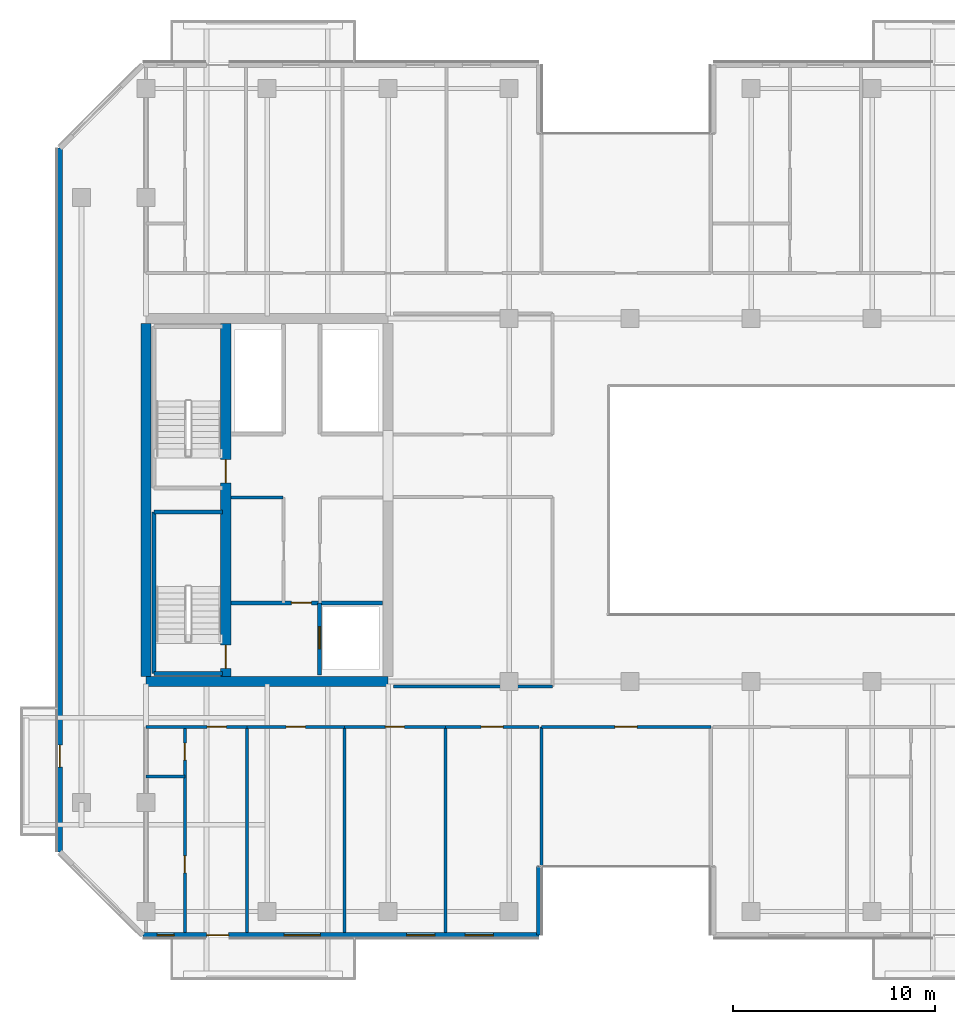
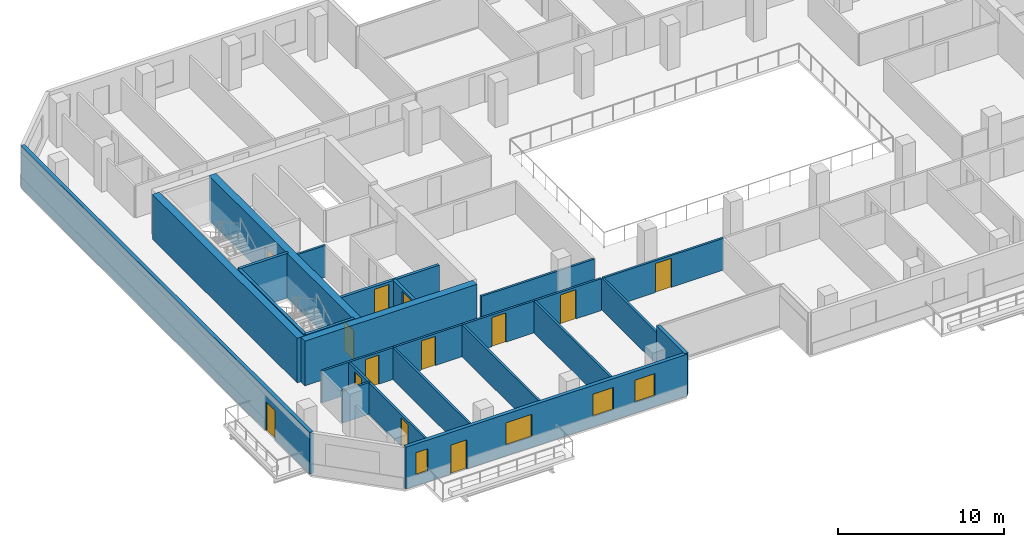
# One storey, part 9 of 19: 24 walls, 13 doors, 4 windows, 17 openings.
"""IFC4 building model written with IfcOpenShell, lengths in metres."""

from ifc_helpers import new_model, si_unit, direction, frame, frame_2d, origin, place, context, subcontext, project, spatial, rectangle, extrude, material, layer, layer_set, type_object, element, fill, save


model = new_model("IFC4")

# Units and contexts
model_context = context("Model", 3, precision=1e-05, world=origin(), true_north=direction((0.0, 1.0)))
body_context = subcontext(model_context, "Body", "Model", "MODEL_VIEW")
ifc_project = project(units=[si_unit("LENGTHUNIT", "METRE"), si_unit("AREAUNIT", "SQUARE_METRE"), si_unit("VOLUMEUNIT", "CUBIC_METRE"), si_unit("PLANEANGLEUNIT", "RADIAN"), si_unit("MASSUNIT", "GRAM", prefix="KILO")], contexts=[model_context])

# Site, building, storey
site_placement = place(None, origin())
site = spatial("IfcSite", under=ifc_project, at=site_placement, CompositionType="ELEMENT")
building_placement = place(site_placement, origin())
building = spatial("IfcBuilding", under=site, at=building_placement, Name="Tanjung Sevakor Pilgrim Tower", CompositionType="ELEMENT")
storey_placement = place(building_placement, frame((0.0, 0.0, 132.0)))
storey = spatial("IfcBuildingStorey", under=building, at=storey_placement, Name="L36", CompositionType="ELEMENT", Elevation=132.0)

# Walls
ifc_material_1 = material(Name="Concrete C60/75", Category="concrete")
ifc_layer_1 = layer(ifc_material_1, 0.5)
ifc_layer_set_1 = layer_set([ifc_layer_1], Name="WALL-CW-500")
wall_type_1 = type_object("IfcWallType", Name="WALL-CW-500", PredefinedType="SHEAR", material=ifc_layer_set_1)
wall_1_placement = place(storey_placement, frame((24.0, 24.60009765625, 0.0), z_axis=(0.0, 0.0, 1.0), x_axis=(1.0, 0.0, 0.0)))
element("IfcWall", 1, at=wall_1_placement, inside=storey, type_object=wall_type_1, Name="L36 W Core South Shear Wall", PredefinedType="SHEAR", context=body_context, shape_type="SweptSolid", body=[
    extrude(rectangle(XDim=12.0, YDim=0.5, at=frame_2d((6.0, 0.0))), origin(), (0.0, 0.0, 1.0), 3.300048828125),
])
wall_2_placement = place(storey_placement, frame((24.0, 24.85009765625, 0.0), z_axis=(0.0, 0.0, 1.0), x_axis=(0.0, 1.0, 0.0)))
element("IfcWall", 2, at=wall_2_placement, inside=storey, type_object=wall_type_1, Name="L36 W Core Outer Shear Wall", PredefinedType="SHEAR", context=body_context, shape_type="SweptSolid", body=[
    extrude(rectangle(XDim=17.5, YDim=0.5, at=frame_2d((8.75, 0.0))), origin(), (0.0, 0.0, 1.0), 3.300048828125),
])

# Wall, openings, doors
wall_3_placement = place(storey_placement, frame((27.949951171875, 24.85009765625, 0.0), z_axis=(0.0, 0.0, 1.0), x_axis=(0.0, 1.0, 0.0)))
wall_3 = element("IfcWall", 3, at=wall_3_placement, inside=storey, type_object=wall_type_1, Name="L36 W Core Stair Spine Wall", PredefinedType="SHEAR", context=body_context, shape_type="SweptSolid", body=[
    extrude(rectangle(XDim=17.5, YDim=0.5, at=frame_2d((8.75, 0.0))), origin(), (0.0, 0.0, 1.0), 3.300048828125),
])
opening_1_placement = place(wall_3_placement, frame((0.39990234375, 0.0, 0.0)))
opening_1 = element("IfcOpeningElement", 4, at=opening_1_placement, cuts=wall_3, Name="Opening ID-ST1", PredefinedType="OPENING", context=body_context, shape_type="SweptSolid", body=[
    extrude(rectangle(XDim=1.14990234375, YDim=2.14990234375, at=frame_2d((0.574951171875, 1.074951171875))), frame((0.0, 0.260009765625, 0.0), z_axis=(0.0, -1.0, 0.0), x_axis=(1.0, 0.0, 0.0)), (0.0, 0.0, 1.0), 0.52001953125),
])
opening_2_placement = place(wall_3_placement, frame((9.60009765625, 0.0, 0.0)))
opening_2 = element("IfcOpeningElement", 5, at=opening_2_placement, cuts=wall_3, Name="Opening ID-ST1", PredefinedType="OPENING", context=body_context, shape_type="SweptSolid", body=[
    extrude(rectangle(XDim=1.14990234375, YDim=2.14990234375, at=frame_2d((0.574951171875, 1.074951171875))), frame((0.0, 0.260009765625, 0.0), z_axis=(0.0, -1.0, 0.0), x_axis=(1.0, 0.0, 0.0)), (0.0, 0.0, 1.0), 0.52001953125),
])
ifc_material_2 = material(Name="Fire-Rated Steel S355J2", Category="steel")
door_type_1 = type_object("IfcDoorType", Name="DT-FIRE-1150", OperationType="NOTDEFINED", PredefinedType="DOOR", material=ifc_material_2)
door_1_placement = place(opening_1_placement, origin())
door_1 = element("IfcDoor", 6, at=door_1_placement, inside=storey, type_object=door_type_1, Name="L36 TS-W1 Stair Fire Door", OperationType="SINGLE_SWING_RIGHT", OverallHeight=2.14990234375, OverallWidth=1.14990234375, PredefinedType="DOOR", context=body_context, shape_type="SweptSolid", body=[
    extrude(rectangle(XDim=1.14990234375, YDim=2.14990234375, at=frame_2d((0.574951171875, 1.074951171875))), frame((0.0, 0.02490234375, 0.0), z_axis=(0.0, -1.0, 0.0), x_axis=(1.0, 0.0, 0.0)), (0.0, 0.0, 1.0), 0.050048828125),
])
fill(opening_1, door_1)
door_2_placement = place(opening_2_placement, origin())
door_2 = element("IfcDoor", 7, at=door_2_placement, inside=storey, type_object=door_type_1, Name="L36 TS-W2 Stair Fire Door", OperationType="SINGLE_SWING_LEFT", OverallHeight=2.14990234375, OverallWidth=1.14990234375, PredefinedType="DOOR", context=body_context, shape_type="SweptSolid", body=[
    extrude(rectangle(XDim=1.14990234375, YDim=2.14990234375, at=frame_2d((0.574951171875, 1.074951171875))), frame((0.0, 0.02490234375, 0.0), z_axis=(0.0, -1.0, 0.0), x_axis=(1.0, 0.0, 0.0)), (0.0, 0.0, 1.0), 0.050048828125),
])
fill(opening_2, door_2)

# Walls
ifc_material_3 = material(Name="Concrete C40/50", Category="concrete")
ifc_layer_2 = layer(ifc_material_3, 0.14990234375)
ifc_layer_set_2 = layer_set([ifc_layer_2], Name="WT-COMP-150")
wall_type_2 = type_object("IfcWallType", Name="WT-COMP-150", PredefinedType="SOLIDWALL", material=ifc_layer_set_2)
wall_4_placement = place(storey_placement, frame((28.219970703125, 33.719970703125, 0.0), z_axis=(0.0, 0.0, 1.0), x_axis=(1.0, 0.0, 0.0)))
element("IfcWall", 8, at=wall_4_placement, inside=storey, type_object=wall_type_2, Name="L36 Partition IW-L36-003", PredefinedType="SOLIDWALL", context=body_context, shape_type="SweptSolid", body=[
    extrude(rectangle(XDim=2.580078125, YDim=0.14990234375, at=frame_2d((1.2900390625, 0.0))), origin(), (0.0, 0.0, 1.0), 2.35009765625),
])
wall_5_placement = place(storey_placement, frame((36.27001953125, 24.35009765625, 0.0), z_axis=(0.0, 0.0, 1.0), x_axis=(1.0, 0.0, 0.0)))
element("IfcWall", 9, at=wall_5_placement, inside=storey, type_object=wall_type_2, Name="L36 Partition IW-L36-021", PredefinedType="SOLIDWALL", context=body_context, shape_type="SweptSolid", body=[
    extrude(rectangle(XDim=7.8798828125, YDim=0.14990234375, at=frame_2d((3.93994140625, 0.0))), origin(), (0.0, 0.0, 1.0), 2.35009765625),
])

# Wall, opening, door
wall_6_placement = place(storey_placement, frame((43.60009765625, 22.35009765625, 0.0), z_axis=(0.0, 0.0, 1.0), x_axis=(1.0, 0.0, 0.0)))
wall_6 = element("IfcWall", 10, at=wall_6_placement, inside=storey, type_object=wall_type_2, Name="L36 Partition IW-L36-033", PredefinedType="SOLIDWALL", context=body_context, shape_type="SweptSolid", body=[
    extrude(rectangle(XDim=8.39990234375, YDim=0.14990234375, at=frame_2d((4.199951171875, 0.0))), origin(), (0.0, 0.0, 1.0), 2.35009765625),
])
opening_3_placement = place(wall_6_placement, frame((3.64990234375, 0.0, 0.0)))
opening_3 = element("IfcOpeningElement", 11, at=opening_3_placement, cuts=wall_6, Name="Opening ID-RM2", PredefinedType="OPENING", context=body_context, shape_type="SweptSolid", body=[
    extrude(rectangle(XDim=1.10009765625, YDim=2.14990234375, at=frame_2d((0.550048828125, 1.074951171875))), frame((0.0, 0.0849609375, 0.0), z_axis=(0.0, -1.0, 0.0), x_axis=(1.0, 0.0, 0.0)), (0.0, 0.0, 1.0), 0.169921875),
])
ifc_material_4 = material(Name="Hardwood Timber", Category="wood")
door_type_2 = type_object("IfcDoorType", Name="DT-INT-1100", OperationType="NOTDEFINED", PredefinedType="DOOR", material=ifc_material_4)
door_3_placement = place(opening_3_placement, origin())
door_3 = element("IfcDoor", 12, at=door_3_placement, inside=storey, type_object=door_type_2, Name="L36 South Cleft Tea Sanctuary Door", OperationType="SINGLE_SWING_LEFT", OverallHeight=2.14990234375, OverallWidth=1.10009765625, PredefinedType="DOOR", context=body_context, shape_type="SweptSolid", body=[
    extrude(rectangle(XDim=1.10009765625, YDim=2.14990234375, at=frame_2d((0.550048828125, 1.074951171875))), frame((0.0, 0.02490234375, 0.0), z_axis=(0.0, -1.0, 0.0), x_axis=(1.0, 0.0, 0.0)), (0.0, 0.0, 1.0), 0.050048828125),
])
fill(opening_3, door_3)

# Walls
for number, where, z_axis, x_axis, name in (
    (13, (43.60009765625, 12.14990234375, 0.0), (0.0, 0.0, 1.0), (0.0, 1.0, 0.0), "L36 Partition IW-L36-034"),
    (14, (29.009033203125, 12.14990234375, 0.0), (0.0, 0.0, 1.0), (0.0, 1.0, 0.0), "L36 Partition IW-L36-040"),
):
    element("IfcWall", number, at=place(storey_placement, frame(where, z_axis=z_axis, x_axis=x_axis)), inside=storey, type_object=wall_type_2, Name=name, PredefinedType="SOLIDWALL", context=body_context, shape_type="SweptSolid", body=[
        extrude(rectangle(XDim=10.2001953125, YDim=0.14990234375, at=frame_2d((5.10009765625, 0.0))), origin(), (0.0, 0.0, 1.0), 2.35009765625),
    ])

# Wall, opening, door
wall_7_placement = place(storey_placement, frame((24.0, 22.35009765625, 0.0), z_axis=(0.0, 0.0, 1.0), x_axis=(1.0, 0.0, 0.0)))
wall_7 = element("IfcWall", 15, at=wall_7_placement, inside=storey, type_object=wall_type_2, Name="L36 Partition IW-L36-043", PredefinedType="SOLIDWALL", context=body_context, shape_type="SweptSolid", body=[
    extrude(rectangle(XDim=5.009033203125, YDim=0.14990234375, at=frame_2d((2.50439453125, 0.0))), origin(), (0.0, 0.0, 1.0), 2.35009765625),
])
opening_4_placement = place(wall_7_placement, frame((3.029541015625, 0.0, 0.0)))
opening_4 = element("IfcOpeningElement", 16, at=opening_4_placement, cuts=wall_7, Name="Opening ID-FD2", PredefinedType="OPENING", context=body_context, shape_type="SweptSolid", body=[
    extrude(rectangle(XDim=0.949951171875, YDim=2.14990234375, at=frame_2d((0.47509765625, 1.074951171875))), frame((0.0, 0.0849609375, 0.0), z_axis=(0.0, -1.0, 0.0), x_axis=(1.0, 0.0, 0.0)), (0.0, 0.0, 1.0), 0.169921875),
])
ifc_material_5 = material(Name="Fire-Rated Timber", Category="wood")
door_type_3 = type_object("IfcDoorType", Name="DT-FIRE-950", OperationType="NOTDEFINED", PredefinedType="DOOR", material=ifc_material_5)
door_4_placement = place(opening_4_placement, origin())
door_4 = element("IfcDoor", 17, at=door_4_placement, inside=storey, type_object=door_type_3, Name="Hostel Quad Entrance", OperationType="SINGLE_SWING_LEFT", OverallHeight=2.14990234375, OverallWidth=0.949951171875, PredefinedType="DOOR", context=body_context, shape_type="SweptSolid", body=[
    extrude(rectangle(XDim=0.949951171875, YDim=2.14990234375, at=frame_2d((0.47509765625, 1.074951171875))), frame((0.0, 0.02490234375, 0.0), z_axis=(0.0, -1.0, 0.0), x_axis=(1.0, 0.0, 0.0)), (0.0, 0.0, 1.0), 0.050048828125),
])
fill(opening_4, door_4)

# Wall
wall_8_placement = place(storey_placement, frame((33.832763671875, 12.14990234375, 0.0), z_axis=(0.0, 0.0, 1.0), x_axis=(0.0, 1.0, 0.0)))
element("IfcWall", 18, at=wall_8_placement, inside=storey, type_object=wall_type_2, Name="L36 Partition IW-L36-044", PredefinedType="SOLIDWALL", context=body_context, shape_type="SweptSolid", body=[
    extrude(rectangle(XDim=10.2001953125, YDim=0.14990234375, at=frame_2d((5.10009765625, 0.0))), origin(), (0.0, 0.0, 1.0), 2.35009765625),
])

# Wall, opening, door
wall_9_placement = place(storey_placement, frame((29.009033203125, 22.35009765625, 0.0), z_axis=(0.0, 0.0, 1.0), x_axis=(1.0, 0.0, 0.0)))
wall_9 = element("IfcWall", 19, at=wall_9_placement, inside=storey, type_object=wall_type_2, Name="L36 Partition IW-L36-045", PredefinedType="SOLIDWALL", context=body_context, shape_type="SweptSolid", body=[
    extrude(rectangle(XDim=4.82373046875, YDim=0.14990234375, at=frame_2d((2.411865234375, 0.0))), origin(), (0.0, 0.0, 1.0), 2.35009765625),
])
opening_5_placement = place(wall_9_placement, frame((1.936767578125, 0.0, 0.0)))
opening_5 = element("IfcOpeningElement", 20, at=opening_5_placement, cuts=wall_9, Name="Opening ID-FD2", PredefinedType="OPENING", context=body_context, shape_type="SweptSolid", body=[
    extrude(rectangle(XDim=0.949951171875, YDim=2.14990234375, at=frame_2d((0.47509765625, 1.074951171875))), frame((0.0, 0.0849609375, 0.0), z_axis=(0.0, -1.0, 0.0), x_axis=(1.0, 0.0, 0.0)), (0.0, 0.0, 1.0), 0.169921875),
])
door_5_placement = place(opening_5_placement, origin())
door_5 = element("IfcDoor", 21, at=door_5_placement, inside=storey, type_object=door_type_3, Name="Study Room Entrance", OperationType="SINGLE_SWING_RIGHT", OverallHeight=2.14990234375, OverallWidth=0.949951171875, PredefinedType="DOOR", context=body_context, shape_type="SweptSolid", body=[
    extrude(rectangle(XDim=0.949951171875, YDim=2.14990234375, at=frame_2d((0.47509765625, 1.074951171875))), frame((0.0, 0.02490234375, 0.0), z_axis=(0.0, -1.0, 0.0), x_axis=(1.0, 0.0, 0.0)), (0.0, 0.0, 1.0), 0.050048828125),
])
fill(opening_5, door_5)

# Wall
wall_10_placement = place(storey_placement, frame((38.841796875, 12.14990234375, 0.0), z_axis=(0.0, 0.0, 1.0), x_axis=(0.0, 1.0, 0.0)))
element("IfcWall", 22, at=wall_10_placement, inside=storey, type_object=wall_type_2, Name="L36 Partition IW-L36-046", PredefinedType="SOLIDWALL", context=body_context, shape_type="SweptSolid", body=[
    extrude(rectangle(XDim=10.2001953125, YDim=0.14990234375, at=frame_2d((5.10009765625, 0.0))), origin(), (0.0, 0.0, 1.0), 2.35009765625),
])

# Wall, opening, door
wall_11_placement = place(storey_placement, frame((33.832763671875, 22.35009765625, 0.0), z_axis=(0.0, 0.0, 1.0), x_axis=(1.0, 0.0, 0.0)))
wall_11 = element("IfcWall", 23, at=wall_11_placement, inside=storey, type_object=wall_type_2, Name="L36 Partition IW-L36-047", PredefinedType="SOLIDWALL", context=body_context, shape_type="SweptSolid", body=[
    extrude(rectangle(XDim=5.009033203125, YDim=0.14990234375, at=frame_2d((2.50439453125, 0.0))), origin(), (0.0, 0.0, 1.0), 2.35009765625),
])
opening_6_placement = place(wall_11_placement, frame((2.029541015625, 0.0, 0.0)))
opening_6 = element("IfcOpeningElement", 24, at=opening_6_placement, cuts=wall_11, Name="Opening ID-FD2", PredefinedType="OPENING", context=body_context, shape_type="SweptSolid", body=[
    extrude(rectangle(XDim=0.949951171875, YDim=2.14990234375, at=frame_2d((0.47509765625, 1.074951171875))), frame((0.0, 0.0849609375, 0.0), z_axis=(0.0, -1.0, 0.0), x_axis=(1.0, 0.0, 0.0)), (0.0, 0.0, 1.0), 0.169921875),
])
door_6_placement = place(opening_6_placement, origin())
door_6 = element("IfcDoor", 25, at=door_6_placement, inside=storey, type_object=door_type_3, Name="Study Room Entrance", OperationType="SINGLE_SWING_LEFT", OverallHeight=2.14990234375, OverallWidth=0.949951171875, PredefinedType="DOOR", context=body_context, shape_type="SweptSolid", body=[
    extrude(rectangle(XDim=0.949951171875, YDim=2.14990234375, at=frame_2d((0.47509765625, 1.074951171875))), frame((0.0, 0.02490234375, 0.0), z_axis=(0.0, -1.0, 0.0), x_axis=(1.0, 0.0, 0.0)), (0.0, 0.0, 1.0), 0.050048828125),
])
fill(opening_6, door_6)

wall_12_placement = place(storey_placement, frame((38.841796875, 22.35009765625, 0.0), z_axis=(0.0, 0.0, 1.0), x_axis=(1.0, 0.0, 0.0)))
wall_12 = element("IfcWall", 26, at=wall_12_placement, inside=storey, type_object=wall_type_2, Name="L36 Partition IW-L36-048", PredefinedType="SOLIDWALL", context=body_context, shape_type="SweptSolid", body=[
    extrude(rectangle(XDim=4.63818359375, YDim=0.14990234375, at=frame_2d((2.319091796875, 0.0))), origin(), (0.0, 0.0, 1.0), 2.35009765625),
])
opening_7_placement = place(wall_12_placement, frame((1.76904296875, 0.0, 0.0)))
opening_7 = element("IfcOpeningElement", 27, at=opening_7_placement, cuts=wall_12, Name="Opening ID-FD0", PredefinedType="OPENING", context=body_context, shape_type="SweptSolid", body=[
    extrude(rectangle(XDim=1.10009765625, YDim=2.14990234375, at=frame_2d((0.550048828125, 1.074951171875))), frame((0.0, 0.0849609375, 0.0), z_axis=(0.0, -1.0, 0.0), x_axis=(1.0, 0.0, 0.0)), (0.0, 0.0, 1.0), 0.169921875),
])
ifc_material_6 = material(Name="Fire-Rated Steel S355J2", Category="steel")
door_type_4 = type_object("IfcDoorType", Name="DT-FIRE-1100", OperationType="NOTDEFINED", PredefinedType="DOOR", material=ifc_material_6)
door_7_placement = place(opening_7_placement, origin())
door_7 = element("IfcDoor", 28, at=door_7_placement, inside=storey, type_object=door_type_4, Name="Communal Lounge Door", OperationType="SINGLE_SWING_RIGHT", OverallHeight=2.14990234375, OverallWidth=1.10009765625, PredefinedType="DOOR", context=body_context, shape_type="SweptSolid", body=[
    extrude(rectangle(XDim=1.10009765625, YDim=2.14990234375, at=frame_2d((0.550048828125, 1.074951171875))), frame((0.0, 0.02490234375, 0.0), z_axis=(0.0, -1.0, 0.0), x_axis=(1.0, 0.0, 0.0)), (0.0, 0.0, 1.0), 0.050048828125),
])
fill(opening_7, door_7)

# Wall, openings, door, windows
ifc_material_7 = material(Name="Precast concrete C45/55", Category="concrete")
ifc_layer_3 = layer(ifc_material_7, 0.25)
ifc_layer_set_3 = layer_set([ifc_layer_3], Name="WT-EW-STN3")
wall_type_3 = type_object("IfcWallType", Name="WT-EW-STN3", PredefinedType="SOLIDWALL", material=ifc_layer_set_3)
wall_13_placement = place(storey_placement, frame((23.851806640625, 12.02490234375, 0.0), z_axis=(0.0, 0.0, 1.0), x_axis=(1.0, 0.0, 0.0)))
wall_13 = element("IfcWall", 29, at=wall_13_placement, inside=storey, type_object=wall_type_3, Name="L36 MAIN Exterior Wall 1", PredefinedType="SOLIDWALL", context=body_context, shape_type="SweptSolid", body=[
    extrude(rectangle(XDim=19.623291015625, YDim=0.25, at=frame_2d((9.8115234375, 0.0))), origin(), (0.0, 0.0, 1.0), 3.080078125),
])
opening_8_placement = place(wall_13_placement, frame((3.148193359375, 0.0, 0.0)))
opening_8 = element("IfcOpeningElement", 30, at=opening_8_placement, cuts=wall_13, Name="Opening ED-BAL-1100", PredefinedType="OPENING", context=body_context, shape_type="SweptSolid", body=[
    extrude(rectangle(XDim=1.10009765625, YDim=2.14990234375, at=frame_2d((0.550048828125, 1.074951171875))), frame((0.0, 0.135009765625, 0.0), z_axis=(0.0, -1.0, 0.0), x_axis=(1.0, 0.0, 0.0)), (0.0, 0.0, 1.0), 0.27001953125),
])
opening_9_placement = place(wall_13_placement, frame((0.693115234375, 0.0, 0.780029296875)))
opening_9 = element("IfcOpeningElement", 31, at=opening_9_placement, cuts=wall_13, Name="Opening WN-SLM", PredefinedType="OPENING", context=body_context, shape_type="SweptSolid", body=[
    extrude(rectangle(XDim=0.85009765625, YDim=1.64990234375, at=frame_2d((0.425048828125, 0.824951171875))), frame((0.0, 0.135009765625, 0.0), z_axis=(0.0, -1.0, 0.0), x_axis=(1.0, 0.0, 0.0)), (0.0, 0.0, 1.0), 0.27001953125),
])
opening_10_placement = place(wall_13_placement, frame((6.989013671875, 0.0, 0.780029296875)))
opening_10 = element("IfcOpeningElement", 32, at=opening_10_placement, cuts=wall_13, Name="Opening WN-Z3-1660", PredefinedType="OPENING", context=body_context, shape_type="SweptSolid", body=[
    extrude(rectangle(XDim=1.800048828125, YDim=1.659912109375, at=frame_2d((0.89990234375, 0.830078125))), frame((0.0, 0.135009765625, 0.0), z_axis=(0.0, -1.0, 0.0), x_axis=(1.0, 0.0, 0.0)), (0.0, 0.0, 1.0), 0.27001953125),
])
opening_11_placement = place(wall_13_placement, frame((13.0654296875, 0.0, 0.780029296875)))
opening_11 = element("IfcOpeningElement", 33, at=opening_11_placement, cuts=wall_13, Name="Opening WN-END", PredefinedType="OPENING", context=body_context, shape_type="SweptSolid", body=[
    extrude(rectangle(XDim=1.39990234375, YDim=1.64990234375, at=frame_2d((0.699951171875, 0.824951171875))), frame((0.0, 0.135009765625, 0.0), z_axis=(0.0, -1.0, 0.0), x_axis=(1.0, 0.0, 0.0)), (0.0, 0.0, 1.0), 0.27001953125),
])
opening_12_placement = place(wall_13_placement, frame((15.968994140625, 0.0, 0.780029296875)))
opening_12 = element("IfcOpeningElement", 34, at=opening_12_placement, cuts=wall_13, Name="Opening WN-END", PredefinedType="OPENING", context=body_context, shape_type="SweptSolid", body=[
    extrude(rectangle(XDim=1.39990234375, YDim=1.64990234375, at=frame_2d((0.699951171875, 0.824951171875))), frame((0.0, 0.135009765625, 0.0), z_axis=(0.0, -1.0, 0.0), x_axis=(1.0, 0.0, 0.0)), (0.0, 0.0, 1.0), 0.27001953125),
])
ifc_material_8 = material(Name="Anodised Aluminium and Laminated Glass", Category="aluminium")
door_type_5 = type_object("IfcDoorType", Name="DTYP-ED-BAL-1100", OperationType="NOTDEFINED", PredefinedType="DOOR", material=ifc_material_8)
door_8_placement = place(opening_8_placement, frame((1.10009765625, 0.0, 0.0), z_axis=(0.0, 0.0, 1.0), x_axis=(-1.0, 0.0, 0.0)))
door_8 = element("IfcDoor", 35, at=door_8_placement, inside=storey, type_object=door_type_5, Name="L36 Balcony Door MAIN-S1", OperationType="SINGLE_SWING_RIGHT", OverallHeight=2.14990234375, OverallWidth=1.10009765625, PredefinedType="DOOR", context=body_context, shape_type="SweptSolid", body=[
    extrude(rectangle(XDim=1.10009765625, YDim=2.14990234375, at=frame_2d((0.550048828125, 1.074951171875))), frame((0.0, 0.02490234375, 0.0), z_axis=(0.0, -1.0, 0.0), x_axis=(1.0, 0.0, 0.0)), (0.0, 0.0, 1.0), 0.050048828125),
])
fill(opening_8, door_8)
ifc_material_9 = material(Name="Thermally Broken Aluminium and Low-E Glass", Category="aluminium")
window_type_1 = type_object("IfcWindowType", Name="WTYP-WN-END", PartitioningType="SINGLE_PANEL", PredefinedType="WINDOW", material=ifc_material_9)
window_1_placement = place(opening_11_placement, origin())
window_1 = element("IfcWindow", 36, at=window_1_placement, inside=storey, type_object=window_type_1, Name="L36 Facade Window 03", OverallHeight=1.64990234375, OverallWidth=1.39990234375, PartitioningType="SINGLE_PANEL", PredefinedType="WINDOW", context=body_context, shape_type="SweptSolid", body=[
    extrude(rectangle(XDim=1.39990234375, YDim=1.64990234375, at=frame_2d((0.699951171875, 0.824951171875))), frame((0.0, 0.030029296875, 0.0), z_axis=(0.0, -1.0, 0.0), x_axis=(1.0, 0.0, 0.0)), (0.0, 0.0, 1.0), 0.06005859375),
])
fill(opening_11, window_1)
window_2_placement = place(opening_12_placement, origin())
window_2 = element("IfcWindow", 37, at=window_2_placement, inside=storey, type_object=window_type_1, Name="L36 Facade Window 04", OverallHeight=1.64990234375, OverallWidth=1.39990234375, PartitioningType="SINGLE_PANEL", PredefinedType="WINDOW", context=body_context, shape_type="SweptSolid", body=[
    extrude(rectangle(XDim=1.39990234375, YDim=1.64990234375, at=frame_2d((0.699951171875, 0.824951171875))), frame((0.0, 0.030029296875, 0.0), z_axis=(0.0, -1.0, 0.0), x_axis=(1.0, 0.0, 0.0)), (0.0, 0.0, 1.0), 0.06005859375),
])
fill(opening_12, window_2)
ifc_material_10 = material(Name="Thermally Broken Aluminium and Low-E Glass", Category="aluminium")
window_type_2 = type_object("IfcWindowType", Name="WTYP-WN-SLM", PartitioningType="SINGLE_PANEL", PredefinedType="WINDOW", material=ifc_material_10)
window_3_placement = place(opening_9_placement, origin())
window_3 = element("IfcWindow", 38, at=window_3_placement, inside=storey, type_object=window_type_2, Name="L36 Facade Window 01", OverallHeight=1.64990234375, OverallWidth=0.85009765625, PartitioningType="SINGLE_PANEL", PredefinedType="WINDOW", context=body_context, shape_type="SweptSolid", body=[
    extrude(rectangle(XDim=0.85009765625, YDim=1.64990234375, at=frame_2d((0.425048828125, 0.824951171875))), frame((0.0, 0.030029296875, 0.0), z_axis=(0.0, -1.0, 0.0), x_axis=(1.0, 0.0, 0.0)), (0.0, 0.0, 1.0), 0.06005859375),
])
fill(opening_9, window_3)
ifc_material_11 = material(Name="Thermally Broken Aluminium and Low-E Glass", Category="aluminium")
window_type_3 = type_object("IfcWindowType", Name="WTYP-WN-Z3-1660", PartitioningType="DOUBLE_PANEL_VERTICAL", PredefinedType="WINDOW", material=ifc_material_11)
window_4_placement = place(opening_10_placement, origin())
window_4 = element("IfcWindow", 39, at=window_4_placement, inside=storey, type_object=window_type_3, Name="L36 Facade Window 02", OverallHeight=1.659912109375, OverallWidth=1.800048828125, PartitioningType="SINGLE_PANEL", PredefinedType="WINDOW", context=body_context, shape_type="SweptSolid", body=[
    extrude(rectangle(XDim=1.800048828125, YDim=1.659912109375, at=frame_2d((0.89990234375, 0.830078125))), frame((0.0, 0.030029296875, 0.0), z_axis=(0.0, -1.0, 0.0), x_axis=(1.0, 0.0, 0.0)), (0.0, 0.0, 1.0), 0.06005859375),
])
fill(opening_10, window_4)

# Wall
wall_14_placement = place(storey_placement, frame((43.47509765625, 12.02490234375, 0.0), z_axis=(0.0, 0.0, 1.0), x_axis=(0.0, 1.0, 0.0)))
element("IfcWall", 40, at=wall_14_placement, inside=storey, type_object=wall_type_3, Name="L36 MAIN Exterior Wall 2", PredefinedType="SOLIDWALL", context=body_context, shape_type="SweptSolid", body=[
    extrude(rectangle(XDim=3.400146484375, YDim=0.25, at=frame_2d((1.7001953125, 0.0))), origin(), (0.0, 0.0, 1.0), 3.080078125),
])

# Wall, opening, door
wall_15_placement = place(storey_placement, frame((19.72509765625, 51.048095703125, 0.0), z_axis=(0.0, 0.0, 1.0), x_axis=(0.0, -1.0, 0.0)))
wall_15 = element("IfcWall", 41, at=wall_15_placement, inside=storey, type_object=wall_type_3, Name="L36 MAIN Exterior Wall 15", PredefinedType="SOLIDWALL", context=body_context, shape_type="SweptSolid", body=[
    extrude(rectangle(XDim=34.896240234375, YDim=0.25, at=frame_2d((17.4482421875, 0.0))), origin(), (0.0, 0.0, 1.0), 3.080078125),
])
opening_13_placement = place(wall_15_placement, frame((29.59814453125, 0.0, 0.0)))
opening_13 = element("IfcOpeningElement", 42, at=opening_13_placement, cuts=wall_15, Name="Opening ED-BAL-1100", PredefinedType="OPENING", context=body_context, shape_type="SweptSolid", body=[
    extrude(rectangle(XDim=1.10009765625, YDim=2.14990234375, at=frame_2d((0.550048828125, 1.074951171875))), frame((0.0, 0.135009765625, 0.0), z_axis=(0.0, -1.0, 0.0), x_axis=(1.0, 0.0, 0.0)), (0.0, 0.0, 1.0), 0.27001953125),
])
door_9_placement = place(opening_13_placement, frame((1.10009765625, 0.0, 0.0), z_axis=(0.0, 0.0, 1.0), x_axis=(-1.0, 0.0, 0.0)))
door_9 = element("IfcDoor", 43, at=door_9_placement, inside=storey, type_object=door_type_5, Name="L36 West Loggia Door MAIN-W1", OperationType="SINGLE_SWING_LEFT", OverallHeight=2.14990234375, OverallWidth=1.10009765625, PredefinedType="DOOR", context=body_context, shape_type="SweptSolid", body=[
    extrude(rectangle(XDim=1.10009765625, YDim=2.14990234375, at=frame_2d((0.550048828125, 1.074951171875))), frame((0.0, 0.02490234375, 0.0), z_axis=(0.0, -1.0, 0.0), x_axis=(1.0, 0.0, 0.0)), (0.0, 0.0, 1.0), 0.050048828125),
])
fill(opening_13, door_9)

# Walls
ifc_material_12 = material(Name="Concrete C40/50", Category="concrete")
ifc_layer_4 = layer(ifc_material_12, 0.199951171875)
ifc_layer_set_4 = layer_set([ifc_layer_4], Name="WT-FIRE-200")
wall_type_4 = type_object("IfcWallType", Name="WT-FIRE-200", PredefinedType="SOLIDWALL", material=ifc_layer_set_4)
for number, where, z_axis, x_axis, name in (
    (44, (24.39990234375, 25.0, 0.0), (0.0, 0.0, 1.0), (1.0, 0.0, 0.0), "L36 TS-W1 Shaft Wall 1"),
    (45, (27.800048828125, 33.0, 0.0), (0.0, 0.0, 1.0), (-1.0, 0.0, 0.0), "L36 TS-W1 Shaft Wall 2"),
):
    element("IfcWall", number, at=place(storey_placement, frame(where, z_axis=z_axis, x_axis=x_axis)), inside=storey, type_object=wall_type_4, Name=name, PredefinedType="SOLIDWALL", context=body_context, shape_type="SweptSolid", body=[
        extrude(rectangle(XDim=3.400146484375, YDim=0.199951171875, at=frame_2d((1.7001953125, 0.0))), origin(), (0.0, 0.0, 1.0), 3.300048828125),
    ])
wall_16_placement = place(storey_placement, frame((24.39990234375, 33.0, 0.0), z_axis=(0.0, 0.0, 1.0), x_axis=(0.0, -1.0, 0.0)))
element("IfcWall", 46, at=wall_16_placement, inside=storey, type_object=wall_type_4, Name="L36 TS-W1 Shaft Wall 3", PredefinedType="SOLIDWALL", context=body_context, shape_type="SweptSolid", body=[
    extrude(rectangle(XDim=8.0, YDim=0.199951171875, at=frame_2d((4.0, 0.0))), origin(), (0.0, 0.0, 1.0), 3.300048828125),
])

# Wall, opening, door
ifc_material_13 = material(Name="Concrete C40/50", Category="concrete")
ifc_layer_5 = layer(ifc_material_13, 0.199951171875)
ifc_layer_set_5 = layer_set([ifc_layer_5], Name="WT-FPRT-200")
wall_type_5 = type_object("IfcWallType", Name="WT-FPRT-200", PredefinedType="SOLIDWALL", material=ifc_layer_set_5)
wall_17_placement = place(storey_placement, frame((32.60009765625, 24.919921875, 0.0), z_axis=(0.0, 0.0, 1.0), x_axis=(0.0, 1.0, 0.0)))
wall_17 = element("IfcWall", 47, at=wall_17_placement, inside=storey, type_object=wall_type_5, Name="L36 Partition IW-L36-001", PredefinedType="SOLIDWALL", context=body_context, shape_type="SweptSolid", body=[
    extrude(rectangle(XDim=3.580078125, YDim=0.199951171875, at=frame_2d((1.7900390625, 0.0))), origin(), (0.0, 0.0, 1.0), 2.35009765625),
])
opening_14_placement = place(wall_17_placement, frame((1.300048828125, 0.0, 0.0)))
opening_14 = element("IfcOpeningElement", 48, at=opening_14_placement, cuts=wall_17, Name="Opening LD-1100", PredefinedType="OPENING", context=body_context, shape_type="SweptSolid", body=[
    extrude(rectangle(XDim=1.10009765625, YDim=2.199951171875, at=frame_2d((0.550048828125, 1.10009765625))), frame((0.0, 0.10986328125, 0.0), z_axis=(0.0, -1.0, 0.0), x_axis=(1.0, 0.0, 0.0)), (0.0, 0.0, 1.0), 0.219970703125),
])
ifc_material_14 = material(Name="Brushed Stainless Steel S355J2", Category="steel")
door_type_6 = type_object("IfcDoorType", Name="DT-LIFT-1100", OperationType="SLIDING_TO_LEFT", PredefinedType="DOOR", material=ifc_material_14)
door_10_placement = place(opening_14_placement, origin())
door_10 = element("IfcDoor", 49, at=door_10_placement, inside=storey, type_object=door_type_6, Name="LD-FL-W", OperationType="SLIDING_TO_LEFT", OverallHeight=2.199951171875, OverallWidth=1.10009765625, PredefinedType="DOOR", context=body_context, shape_type="SweptSolid", body=[
    extrude(rectangle(XDim=1.10009765625, YDim=2.199951171875, at=frame_2d((0.550048828125, 1.10009765625))), frame((0.0, 0.02490234375, 0.0), z_axis=(0.0, -1.0, 0.0), x_axis=(1.0, 0.0, 0.0)), (0.0, 0.0, 1.0), 0.050048828125),
])
fill(opening_14, door_10)

wall_18_placement = place(storey_placement, frame((28.219970703125, 28.5, 0.0), z_axis=(0.0, 0.0, 1.0), x_axis=(1.0, 0.0, 0.0)))
wall_18 = element("IfcWall", 50, at=wall_18_placement, inside=storey, type_object=wall_type_5, Name="L36 Partition IW-L36-002", PredefinedType="SOLIDWALL", context=body_context, shape_type="SweptSolid", body=[
    extrude(rectangle(XDim=7.510009765625, YDim=0.199951171875, at=frame_2d((3.7548828125, 0.0))), origin(), (0.0, 0.0, 1.0), 2.35009765625),
])
opening_15_placement = place(wall_18_placement, frame((2.97998046875, 0.0, 0.0)))
opening_15 = element("IfcOpeningElement", 51, at=opening_15_placement, cuts=wall_18, Name="Opening ID-FD1", PredefinedType="OPENING", context=body_context, shape_type="SweptSolid", body=[
    extrude(rectangle(XDim=1.0, YDim=2.14990234375, at=frame_2d((0.5, 1.074951171875))), frame((0.0, 0.10986328125, 0.0), z_axis=(0.0, -1.0, 0.0), x_axis=(1.0, 0.0, 0.0)), (0.0, 0.0, 1.0), 0.219970703125),
])
ifc_material_15 = material(Name="Fire-Rated Steel S355J2", Category="steel")
door_type_7 = type_object("IfcDoorType", Name="DT-FIRE-1000", OperationType="NOTDEFINED", PredefinedType="DOOR", material=ifc_material_15)
door_11_placement = place(opening_15_placement, origin())
door_11 = element("IfcDoor", 52, at=door_11_placement, inside=storey, type_object=door_type_7, Name="Fire Lobby Door W", OperationType="SINGLE_SWING_RIGHT", OverallHeight=2.14990234375, OverallWidth=1.0, PredefinedType="DOOR", context=body_context, shape_type="SweptSolid", body=[
    extrude(rectangle(XDim=1.0, YDim=2.14990234375, at=frame_2d((0.5, 1.074951171875))), frame((0.0, 0.02490234375, 0.0), z_axis=(0.0, -1.0, 0.0), x_axis=(1.0, 0.0, 0.0)), (0.0, 0.0, 1.0), 0.050048828125),
])
fill(opening_15, door_11)

# Wall
ifc_material_16 = material(Name="Gypsum Board Partition", Category="gypsum board")
ifc_layer_6 = layer(ifc_material_16, 0.14990234375)
ifc_layer_set_6 = layer_set([ifc_layer_6], Name="WT-PART-150")
wall_type_6 = type_object("IfcWallType", Name="WT-PART-150", PredefinedType="PARTITIONING", material=ifc_layer_set_6)
wall_19_placement = place(storey_placement, frame((24.0, 19.89990234375, 0.0), z_axis=(0.0, 0.0, 1.0), x_axis=(1.0, 0.0, 0.0)))
element("IfcWall", 53, at=wall_19_placement, inside=storey, type_object=wall_type_6, Name="L36 Partition IW-L36-041", PredefinedType="PARTITIONING", context=body_context, shape_type="SweptSolid", body=[
    extrude(rectangle(XDim=1.919921875, YDim=0.14990234375, at=frame_2d((0.9599609375, 0.0))), origin(), (0.0, 0.0, 1.0), 2.35009765625),
])

# Wall, openings, doors
wall_20_placement = place(storey_placement, frame((25.919921875, 12.14990234375, 0.0), z_axis=(0.0, 0.0, 1.0), x_axis=(0.0, 1.0, 0.0)))
wall_20 = element("IfcWall", 54, at=wall_20_placement, inside=storey, type_object=wall_type_6, Name="L36 Partition IW-L36-042", PredefinedType="PARTITIONING", context=body_context, shape_type="SweptSolid", body=[
    extrude(rectangle(XDim=10.2001953125, YDim=0.14990234375, at=frame_2d((5.10009765625, 0.0))), origin(), (0.0, 0.0, 1.0), 2.35009765625),
])
opening_16_placement = place(wall_20_placement, frame((2.9599609375, 0.0, 0.0)))
opening_16 = element("IfcOpeningElement", 55, at=opening_16_placement, cuts=wall_20, Name="Opening ID-WC1", PredefinedType="OPENING", context=body_context, shape_type="SweptSolid", body=[
    extrude(rectangle(XDim=0.85009765625, YDim=2.10009765625, at=frame_2d((0.425048828125, 1.050048828125))), frame((0.0, 0.0849609375, 0.0), z_axis=(0.0, -1.0, 0.0), x_axis=(1.0, 0.0, 0.0)), (0.0, 0.0, 1.0), 0.169921875),
])
opening_17_placement = place(wall_20_placement, frame((8.550048828125, 0.0, 0.0)))
opening_17 = element("IfcOpeningElement", 56, at=opening_17_placement, cuts=wall_20, Name="Opening ID-WC1", PredefinedType="OPENING", context=body_context, shape_type="SweptSolid", body=[
    extrude(rectangle(XDim=0.85009765625, YDim=2.10009765625, at=frame_2d((0.425048828125, 1.050048828125))), frame((0.0, 0.0849609375, 0.0), z_axis=(0.0, -1.0, 0.0), x_axis=(1.0, 0.0, 0.0)), (0.0, 0.0, 1.0), 0.169921875),
])
ifc_material_17 = material(Name="Moisture-Resistant Timber", Category="wood")
door_type_8 = type_object("IfcDoorType", Name="DT-INT-850", OperationType="NOTDEFINED", PredefinedType="DOOR", material=ifc_material_17)
door_12_placement = place(opening_16_placement, origin())
door_12 = element("IfcDoor", 57, at=door_12_placement, inside=storey, type_object=door_type_8, Name="Study Nook Door", OperationType="SINGLE_SWING_LEFT", OverallHeight=2.10009765625, OverallWidth=0.85009765625, PredefinedType="DOOR", context=body_context, shape_type="SweptSolid", body=[
    extrude(rectangle(XDim=0.85009765625, YDim=2.10009765625, at=frame_2d((0.425048828125, 1.050048828125))), frame((0.0, 0.02490234375, 0.0), z_axis=(0.0, -1.0, 0.0), x_axis=(1.0, 0.0, 0.0)), (0.0, 0.0, 1.0), 0.050048828125),
])
fill(opening_16, door_12)
door_13_placement = place(opening_17_placement, origin())
door_13 = element("IfcDoor", 58, at=door_13_placement, inside=storey, type_object=door_type_8, Name="Bathroom Door", OperationType="SINGLE_SWING_RIGHT", OverallHeight=2.10009765625, OverallWidth=0.85009765625, PredefinedType="DOOR", context=body_context, shape_type="SweptSolid", body=[
    extrude(rectangle(XDim=0.85009765625, YDim=2.10009765625, at=frame_2d((0.425048828125, 1.050048828125))), frame((0.0, 0.02490234375, 0.0), z_axis=(0.0, -1.0, 0.0), x_axis=(1.0, 0.0, 0.0)), (0.0, 0.0, 1.0), 0.050048828125),
])
fill(opening_17, door_13)

save(model, "model.ifc")
